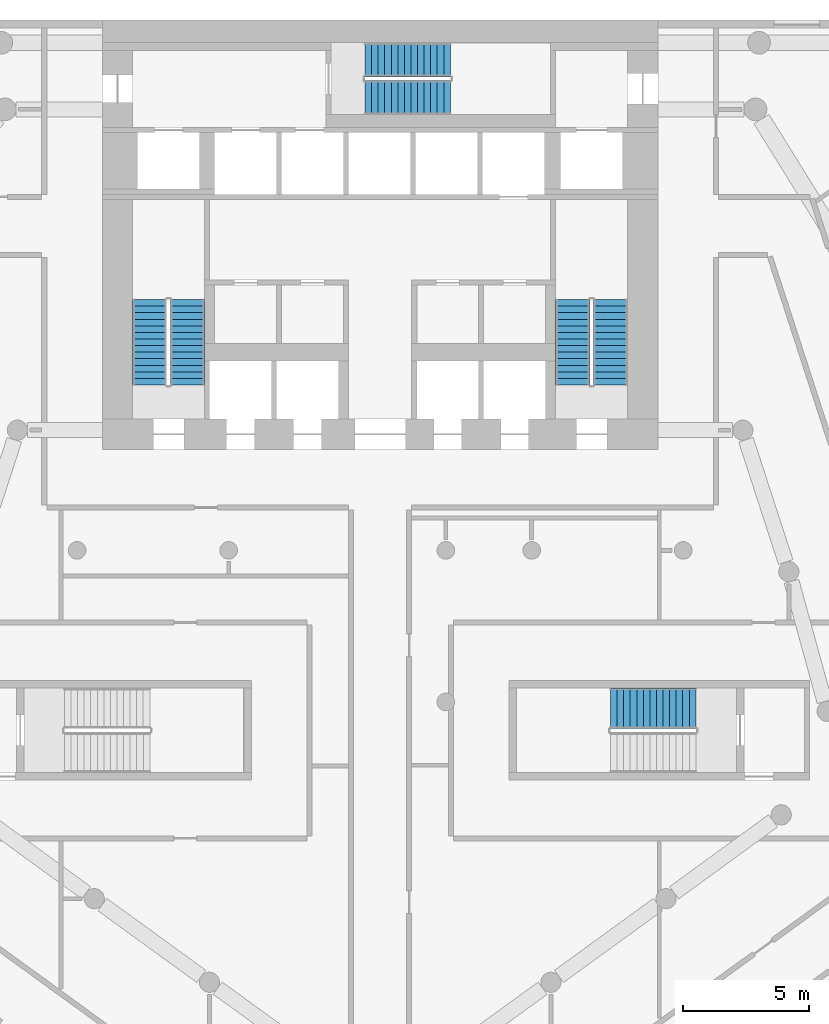
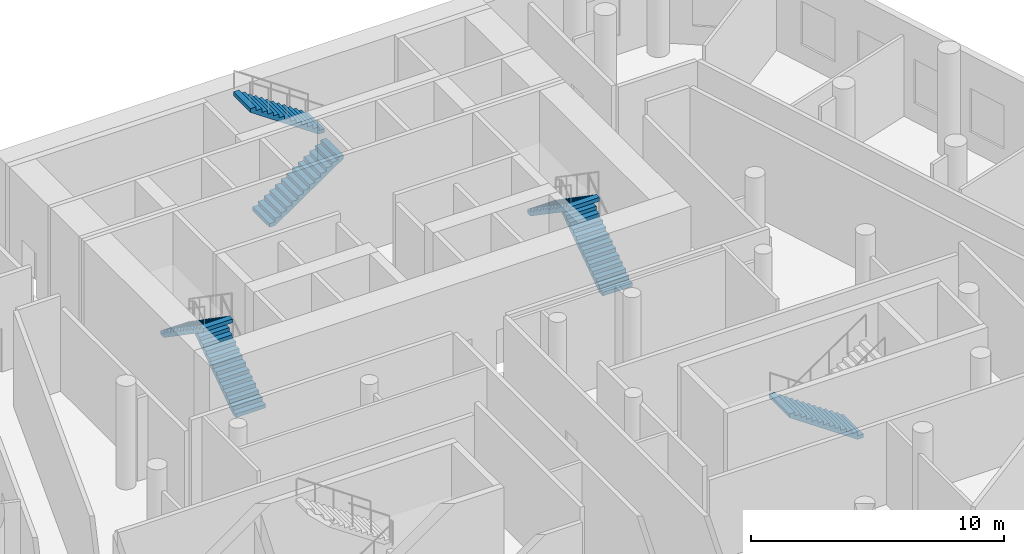
# One storey, part 13 of 15: 7 stair flights, 4 elements without a shape of their own.
"""IFC4 building model written with IfcOpenShell, lengths in metres."""

from ifc_helpers import new_model, si_unit, direction, frame, origin, place, context, subcontext, project, spatial, polyline, outline, extrude, material, layer, layer_set, type_object, element, aggregate, save


model = new_model("IFC4")

# Units and contexts
model_context = context("Model", 3, precision=1e-05, world=origin(), true_north=direction((0.0, 1.0)))
body_context = subcontext(model_context, "Body", "Model", "MODEL_VIEW")
ifc_project = project(units=[si_unit("LENGTHUNIT", "METRE"), si_unit("AREAUNIT", "SQUARE_METRE"), si_unit("VOLUMEUNIT", "CUBIC_METRE"), si_unit("PLANEANGLEUNIT", "RADIAN"), si_unit("MASSUNIT", "GRAM", prefix="KILO")], contexts=[model_context])

# Site, building, storey
site_placement = place(None, origin())
site = spatial("IfcSite", under=ifc_project, at=site_placement, CompositionType="ELEMENT")
building_placement = place(site_placement, origin())
building = spatial("IfcBuilding", under=site, at=building_placement, Name="White Candle Pilgrim Tower", CompositionType="ELEMENT")
storey_placement = place(building_placement, frame((0.0, 0.0, 34.0)))
storey = spatial("IfcBuildingStorey", under=building, at=storey_placement, Name="L05", CompositionType="ELEMENT", Elevation=34.0)

# Stair, stair flights
ifc_material = material(Name="Concrete C40/50", Category="concrete")
stair_type_1 = type_object("IfcStairType", Name="Exit stair 1 flight width 1350 mm", PredefinedType="HALF_TURN_STAIR", material=ifc_material)
stair_1_placement = place(storey_placement, origin())
stair_1 = element("IfcStair", 1, at=stair_1_placement, inside=storey, type_object=stair_type_1, Name="L05 stair 1", PredefinedType="NOTDEFINED")
ifc_layer = layer(ifc_material, 0.14990234375)
ifc_layer_set = layer_set([ifc_layer], Name="Stair flight Concrete C40/50")
stair_flight_type = type_object("IfcStairFlightType", Name="Stair flight Concrete C40/50", PredefinedType="STRAIGHT", material=ifc_layer_set)
stair_flight_1_placement = place(storey_placement, frame((62.375, 73.550048828125, 0.0), z_axis=(0.0, 0.0, 1.0), x_axis=(0.0, 1.0, 0.0)))
stair_flight_1 = element("IfcStairFlight", 2, at=stair_flight_1_placement, type_object=stair_flight_type, Name="ST1 flight 1", NumberOfRisers=14, NumberOfTreads=13, PredefinedType="NOTDEFINED", RiserHeight=0.178571429, TreadLength=0.26, context=body_context, shape_type="SweptSolid", body=[
    extrude(outline(polyline([(0.0, 0.0), (0.0, 0.178466796875), (0.260009765625, 0.178466796875), (0.260009765625, 0.357177734375), (0.52001953125, 0.357177734375), (0.52001953125, 0.53564453125), (0.780029296875, 0.53564453125), (0.780029296875, 0.71435546875), (1.0400390625, 0.71435546875), (1.0400390625, 0.892822265625), (1.300048828125, 0.892822265625), (1.300048828125, 1.071533203125), (1.56005859375, 1.071533203125), (1.56005859375, 1.25), (1.820068359375, 1.25), (1.820068359375, 1.428466796875), (2.080078125, 1.428466796875), (2.080078125, 1.607177734375), (2.340087890625, 1.607177734375), (2.340087890625, 1.78564453125), (2.60009765625, 1.78564453125), (2.60009765625, 1.96435546875), (2.860107421875, 1.96435546875), (2.860107421875, 2.142822265625), (3.1201171875, 2.142822265625), (3.1201171875, 2.321533203125), (3.3798828125, 2.321533203125), (3.3798828125, 2.5), (3.3798828125, 2.1396484375), (0.264892578125, 0.0), (0.0, 0.0)])), frame((0.0, 0.675048828125, 0.0), z_axis=(0.0, -1.0, 0.0), x_axis=(1.0, 0.0, 0.0)), (0.0, 0.0, 1.0), 1.35009765625),
])
stair_flight_2_placement = place(storey_placement, frame((60.875, 76.929931640625, 2.5), z_axis=(0.0, 0.0, 1.0), x_axis=(0.0, -1.0, 0.0)))
stair_flight_2 = element("IfcStairFlight", 3, at=stair_flight_2_placement, type_object=stair_flight_type, Name="ST1 flight 2", NumberOfRisers=14, NumberOfTreads=13, PredefinedType="NOTDEFINED", RiserHeight=0.178571429, TreadLength=0.26, context=body_context, shape_type="SweptSolid", body=[
    extrude(outline(polyline([(0.0, 0.0), (0.0, 0.178466796875), (0.260009765625, 0.178466796875), (0.260009765625, 0.357177734375), (0.52001953125, 0.357177734375), (0.52001953125, 0.53564453125), (0.780029296875, 0.53564453125), (0.780029296875, 0.71435546875), (1.0400390625, 0.71435546875), (1.0400390625, 0.892822265625), (1.300048828125, 0.892822265625), (1.300048828125, 1.071533203125), (1.56005859375, 1.071533203125), (1.56005859375, 1.25), (1.820068359375, 1.25), (1.820068359375, 1.428466796875), (2.080078125, 1.428466796875), (2.080078125, 1.607177734375), (2.340087890625, 1.607177734375), (2.340087890625, 1.78564453125), (2.60009765625, 1.78564453125), (2.60009765625, 1.96435546875), (2.860107421875, 1.96435546875), (2.860107421875, 2.142822265625), (3.1201171875, 2.142822265625), (3.1201171875, 2.321533203125), (3.3798828125, 2.321533203125), (3.3798828125, 2.5), (3.3798828125, 2.1396484375), (0.264892578125, 0.0), (0.0, 0.0)])), frame((0.0, 0.675048828125, 0.0), z_axis=(0.0, -1.0, 0.0), x_axis=(1.0, 0.0, 0.0)), (0.0, 0.0, 1.0), 1.35009765625),
])
aggregate(stair_1, [stair_flight_1, stair_flight_2])

stair_type_2 = type_object("IfcStairType", Name="Exit stair 2 flight width 1350 mm", PredefinedType="HALF_TURN_STAIR", material=ifc_material)
stair_2_placement = place(storey_placement, origin())
stair_2 = element("IfcStair", 4, at=stair_2_placement, inside=storey, type_object=stair_type_2, Name="L05 stair 2", PredefinedType="NOTDEFINED")
stair_flight_3_placement = place(storey_placement, frame((79.125, 73.550048828125, 0.0), z_axis=(0.0, 0.0, 1.0), x_axis=(0.0, 1.0, 0.0)))
stair_flight_3 = element("IfcStairFlight", 5, at=stair_flight_3_placement, type_object=stair_flight_type, Name="ST2 flight 1", NumberOfRisers=14, NumberOfTreads=13, PredefinedType="NOTDEFINED", RiserHeight=0.178571429, TreadLength=0.26, context=body_context, shape_type="SweptSolid", body=[
    extrude(outline(polyline([(0.0, 0.0), (0.0, 0.178466796875), (0.260009765625, 0.178466796875), (0.260009765625, 0.357177734375), (0.52001953125, 0.357177734375), (0.52001953125, 0.53564453125), (0.780029296875, 0.53564453125), (0.780029296875, 0.71435546875), (1.0400390625, 0.71435546875), (1.0400390625, 0.892822265625), (1.300048828125, 0.892822265625), (1.300048828125, 1.071533203125), (1.56005859375, 1.071533203125), (1.56005859375, 1.25), (1.820068359375, 1.25), (1.820068359375, 1.428466796875), (2.080078125, 1.428466796875), (2.080078125, 1.607177734375), (2.340087890625, 1.607177734375), (2.340087890625, 1.78564453125), (2.60009765625, 1.78564453125), (2.60009765625, 1.96435546875), (2.860107421875, 1.96435546875), (2.860107421875, 2.142822265625), (3.1201171875, 2.142822265625), (3.1201171875, 2.321533203125), (3.3798828125, 2.321533203125), (3.3798828125, 2.5), (3.3798828125, 2.1396484375), (0.264892578125, 0.0), (0.0, 0.0)])), frame((0.0, 0.675048828125, 0.0), z_axis=(0.0, -1.0, 0.0), x_axis=(1.0, 0.0, 0.0)), (0.0, 0.0, 1.0), 1.35009765625),
])
stair_flight_4_placement = place(storey_placement, frame((77.625, 76.929931640625, 2.5), z_axis=(0.0, 0.0, 1.0), x_axis=(0.0, -1.0, 0.0)))
stair_flight_4 = element("IfcStairFlight", 6, at=stair_flight_4_placement, type_object=stair_flight_type, Name="ST2 flight 2", NumberOfRisers=14, NumberOfTreads=13, PredefinedType="NOTDEFINED", RiserHeight=0.178571429, TreadLength=0.26, context=body_context, shape_type="SweptSolid", body=[
    extrude(outline(polyline([(0.0, 0.0), (0.0, 0.178466796875), (0.260009765625, 0.178466796875), (0.260009765625, 0.357177734375), (0.52001953125, 0.357177734375), (0.52001953125, 0.53564453125), (0.780029296875, 0.53564453125), (0.780029296875, 0.71435546875), (1.0400390625, 0.71435546875), (1.0400390625, 0.892822265625), (1.300048828125, 0.892822265625), (1.300048828125, 1.071533203125), (1.56005859375, 1.071533203125), (1.56005859375, 1.25), (1.820068359375, 1.25), (1.820068359375, 1.428466796875), (2.080078125, 1.428466796875), (2.080078125, 1.607177734375), (2.340087890625, 1.607177734375), (2.340087890625, 1.78564453125), (2.60009765625, 1.78564453125), (2.60009765625, 1.96435546875), (2.860107421875, 1.96435546875), (2.860107421875, 2.142822265625), (3.1201171875, 2.142822265625), (3.1201171875, 2.321533203125), (3.3798828125, 2.321533203125), (3.3798828125, 2.5), (3.3798828125, 2.1396484375), (0.264892578125, 0.0), (0.0, 0.0)])), frame((0.0, 0.675048828125, 0.0), z_axis=(0.0, -1.0, 0.0), x_axis=(1.0, 0.0, 0.0)), (0.0, 0.0, 1.0), 1.35009765625),
])
aggregate(stair_2, [stair_flight_3, stair_flight_4])

stair_type_3 = type_object("IfcStairType", Name="Exit stair 3 flight width 1350 mm", PredefinedType="HALF_TURN_STAIR", material=ifc_material)
stair_3_placement = place(storey_placement, origin())
stair_3 = element("IfcStair", 7, at=stair_3_placement, inside=storey, type_object=stair_type_3, Name="L05 stair 3", PredefinedType="NOTDEFINED")
stair_flight_5_placement = place(storey_placement, frame((69.39990234375, 84.925048828125, 0.0), z_axis=(0.0, 0.0, 1.0), x_axis=(1.0, 0.0, 0.0)))
stair_flight_5 = element("IfcStairFlight", 8, at=stair_flight_5_placement, type_object=stair_flight_type, Name="ST3 flight 1", NumberOfRisers=14, NumberOfTreads=13, PredefinedType="NOTDEFINED", RiserHeight=0.178571429, TreadLength=0.26, context=body_context, shape_type="SweptSolid", body=[
    extrude(outline(polyline([(0.0, 0.0), (0.0, 0.178466796875), (0.260009765625, 0.178466796875), (0.260009765625, 0.357177734375), (0.52001953125, 0.357177734375), (0.52001953125, 0.53564453125), (0.780029296875, 0.53564453125), (0.780029296875, 0.71435546875), (1.0400390625, 0.71435546875), (1.0400390625, 0.892822265625), (1.300048828125, 0.892822265625), (1.300048828125, 1.071533203125), (1.56005859375, 1.071533203125), (1.56005859375, 1.25), (1.820068359375, 1.25), (1.820068359375, 1.428466796875), (2.080078125, 1.428466796875), (2.080078125, 1.607177734375), (2.340087890625, 1.607177734375), (2.340087890625, 1.78564453125), (2.60009765625, 1.78564453125), (2.60009765625, 1.96435546875), (2.860107421875, 1.96435546875), (2.860107421875, 2.142822265625), (3.1201171875, 2.142822265625), (3.1201171875, 2.321533203125), (3.3798828125, 2.321533203125), (3.3798828125, 2.5), (3.3798828125, 2.1396484375), (0.264892578125, 0.0), (0.0, 0.0)])), frame((0.0, 0.675048828125, 0.0), z_axis=(0.0, -1.0, 0.0), x_axis=(1.0, 0.0, 0.0)), (0.0, 0.0, 1.0), 1.35009765625),
])
stair_flight_6_placement = place(storey_placement, frame((72.780029296875, 86.425048828125, 2.5), z_axis=(0.0, 0.0, 1.0), x_axis=(-1.0, 0.0, 0.0)))
stair_flight_6 = element("IfcStairFlight", 9, at=stair_flight_6_placement, type_object=stair_flight_type, Name="ST3 flight 2", NumberOfRisers=14, NumberOfTreads=13, PredefinedType="NOTDEFINED", RiserHeight=0.178571429, TreadLength=0.26, context=body_context, shape_type="SweptSolid", body=[
    extrude(outline(polyline([(0.0, 0.0), (0.0, 0.178466796875), (0.260009765625, 0.178466796875), (0.260009765625, 0.357177734375), (0.52001953125, 0.357177734375), (0.52001953125, 0.53564453125), (0.780029296875, 0.53564453125), (0.780029296875, 0.71435546875), (1.0400390625, 0.71435546875), (1.0400390625, 0.892822265625), (1.300048828125, 0.892822265625), (1.300048828125, 1.071533203125), (1.56005859375, 1.071533203125), (1.56005859375, 1.25), (1.820068359375, 1.25), (1.820068359375, 1.428466796875), (2.080078125, 1.428466796875), (2.080078125, 1.607177734375), (2.340087890625, 1.607177734375), (2.340087890625, 1.78564453125), (2.60009765625, 1.78564453125), (2.60009765625, 1.96435546875), (2.860107421875, 1.96435546875), (2.860107421875, 2.142822265625), (3.1201171875, 2.142822265625), (3.1201171875, 2.321533203125), (3.3798828125, 2.321533203125), (3.3798828125, 2.5), (3.3798828125, 2.1396484375), (0.264892578125, 0.0), (0.0, 0.0)])), frame((0.0, 0.675048828125, 0.0), z_axis=(0.0, -1.0, 0.0), x_axis=(1.0, 0.0, 0.0)), (0.0, 0.0, 1.0), 1.35009765625),
])
aggregate(stair_3, [stair_flight_5, stair_flight_6])

# Stair, stair flight
stair_type_4 = type_object("IfcStairType", Name="Exit stair 4 flight width 1600 mm", PredefinedType="HALF_TURN_STAIR", material=ifc_material)
stair_4_placement = place(storey_placement, origin())
stair_4 = element("IfcStair", 10, at=stair_4_placement, inside=storey, type_object=stair_type_4, Name="L05 stair 4", PredefinedType="NOTDEFINED")
stair_flight_7_placement = place(storey_placement, frame((82.5, 60.75, 0.0), z_axis=(0.0, 0.0, 1.0), x_axis=(-1.0, 0.0, 0.0)))
stair_flight_7 = element("IfcStairFlight", 11, at=stair_flight_7_placement, type_object=stair_flight_type, Name="ST4 flight 1", NumberOfRisers=14, NumberOfTreads=13, PredefinedType="NOTDEFINED", RiserHeight=0.178571429, TreadLength=0.26, context=body_context, shape_type="SweptSolid", body=[
    extrude(outline(polyline([(0.0, 0.0), (0.0, 0.178466796875), (0.260009765625, 0.178466796875), (0.260009765625, 0.357177734375), (0.52001953125, 0.357177734375), (0.52001953125, 0.53564453125), (0.780029296875, 0.53564453125), (0.780029296875, 0.71435546875), (1.0400390625, 0.71435546875), (1.0400390625, 0.892822265625), (1.300048828125, 0.892822265625), (1.300048828125, 1.071533203125), (1.56005859375, 1.071533203125), (1.56005859375, 1.25), (1.820068359375, 1.25), (1.820068359375, 1.428466796875), (2.080078125, 1.428466796875), (2.080078125, 1.607177734375), (2.340087890625, 1.607177734375), (2.340087890625, 1.78564453125), (2.60009765625, 1.78564453125), (2.60009765625, 1.96435546875), (2.860107421875, 1.96435546875), (2.860107421875, 2.142822265625), (3.1201171875, 2.142822265625), (3.1201171875, 2.321533203125), (3.3798828125, 2.321533203125), (3.3798828125, 2.5), (3.3798828125, 2.1396484375), (0.264892578125, 0.0), (0.0, 0.0)])), frame((0.0, 0.800048828125, 0.0), z_axis=(0.0, -1.0, 0.0), x_axis=(1.0, 0.0, 0.0)), (0.0, 0.0, 1.0), 1.60009765625),
])
aggregate(stair_4, [stair_flight_7])

save(model, "model.ifc")
